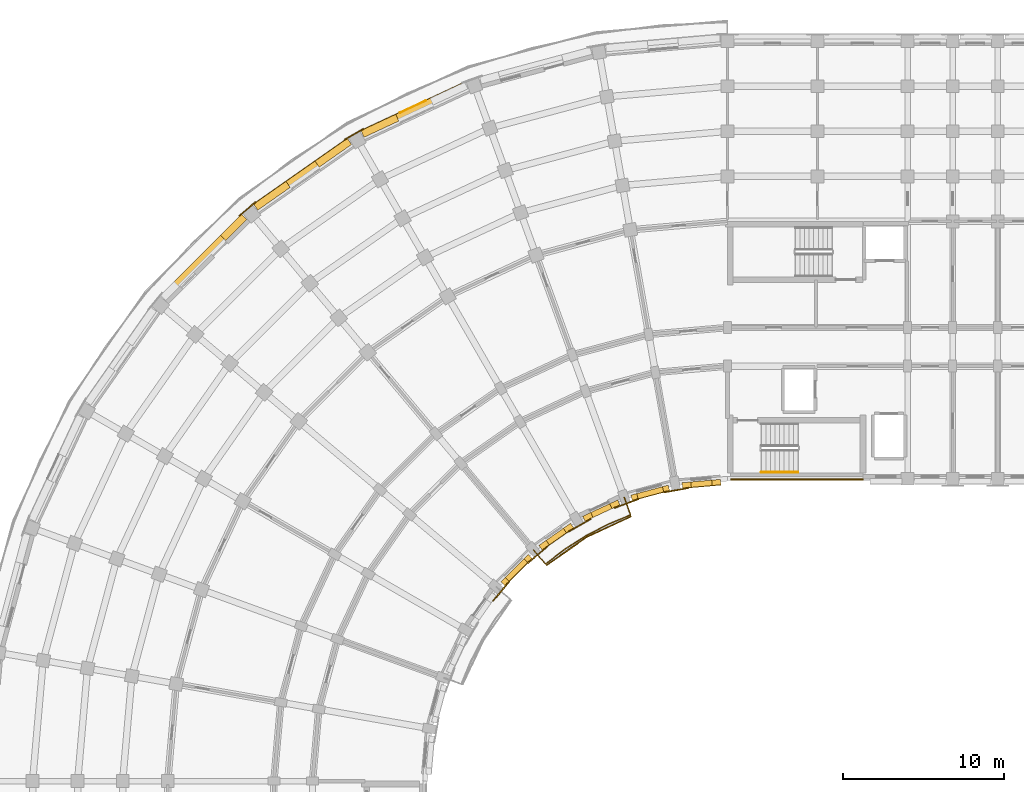
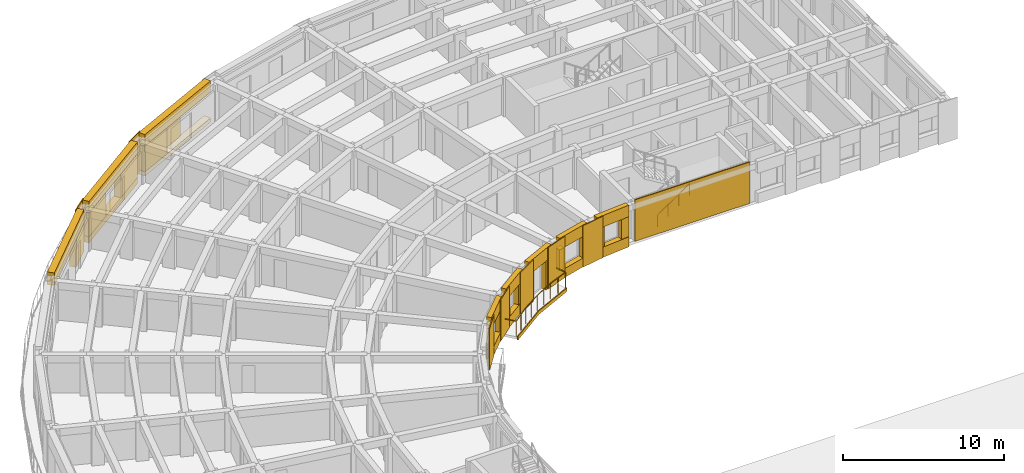
# One storey, part 67 of 76: 37 coverings, 2 railings, 1 shading device.
"""IFC4 building model written with IfcOpenShell, lengths in metres."""

from ifc_helpers import new_model, si_unit, direction, frame, origin, origin_2d, place, context, subcontext, project, spatial, polyline, rectangle, circle, outline, extrude, material, layer, layer_set, type_object, element, save


model = new_model("IFC4")

# Units and contexts
model_context = context("Model", 3, precision=1e-05, world=origin(), true_north=direction((0.0, 1.0)))
body_context = subcontext(model_context, "Body", "Model", "MODEL_VIEW")
ifc_project = project(units=[si_unit("LENGTHUNIT", "METRE"), si_unit("AREAUNIT", "SQUARE_METRE"), si_unit("VOLUMEUNIT", "CUBIC_METRE"), si_unit("PLANEANGLEUNIT", "RADIAN"), si_unit("MASSUNIT", "GRAM", prefix="KILO")], contexts=[model_context])

# Site, building, storey
site_placement = place(None, origin())
site = spatial("IfcSite", under=ifc_project, at=site_placement, CompositionType="ELEMENT")
building_placement = place(site_placement, origin())
building = spatial("IfcBuilding", under=site, at=building_placement, Name="Kiranvali Square Residences", CompositionType="ELEMENT")
storey_placement = place(building_placement, frame((0.0, 0.0, 8.699951171875)))
storey = spatial("IfcBuildingStorey", under=building, at=storey_placement, Name="L02", CompositionType="ELEMENT", Elevation=8.699951171875)

# Coverings
ifc_material_1 = material(Name="Carved Porbandar limestone classical entablature and cornice", Category="masonry")
ifc_layer_1 = layer(ifc_material_1, 0.06201171875)
ifc_layer_set_1 = layer_set([ifc_layer_1], Name="Carved Porbandar limestone classical entablature and cornice")
covering_type_1 = type_object("IfcCoveringType", Name="COV-CLAD-GBAL", PredefinedType="CLADDING", material=ifc_layer_set_1)
covering_1_placement = place(storey_placement, frame((0.0, 0.0, -0.219970703125)))
element("IfcCovering", 1, at=covering_1_placement, inside=storey, type_object=covering_type_1, Name="Block A L02 garden balcony limestone fascia 1", PredefinedType="CLADDING", context=body_context, shape_type="SweptSolid", body=[
    extrude(outline(polyline([(42.1982421875, 104.289794921875), (39.426025390625, 102.9970703125), (36.92041015625, 101.242431640625), (36.964111328125, 101.1904296875), (39.4599609375, 102.938232421875), (42.221435546875, 104.225830078125), (42.1982421875, 104.289794921875)])), origin(), (0.0, 0.0, 1.0), 0.27001953125),
])
ifc_material_2 = material(Name="Honed Porbandar limestone ashlar facade cladding", Category="masonry")
ifc_layer_2 = layer(ifc_material_2, 0.3798828125)
ifc_layer_set_2 = layer_set([ifc_layer_2], Name="Honed Porbandar limestone ashlar facade cladding")
covering_type_2 = type_object("IfcCoveringType", Name="COV-CLAD-JAMB", PredefinedType="CLADDING", material=ifc_layer_set_2)
covering_2_placement = place(storey_placement, frame((0.0, 0.0, 0.322021484375)))
element("IfcCovering", 2, at=covering_2_placement, inside=storey, type_object=covering_type_2, Name="L02 deep limestone window jamb reveal A-L02-CRV-02.R", PredefinedType="CLADDING", context=body_context, shape_type="SweptSolid", body=[
    extrude(outline(polyline([(27.57421875, 129.251953125), (25.413330078125, 128.244140625), (25.607666015625, 127.827880859375), (27.768310546875, 128.83544921875), (27.57421875, 129.251953125)])), origin(), (0.0, 0.0, 1.0), 1.949951171875),
])
covering_3_placement = place(storey_placement, frame((0.0, 0.0, 0.47216796875)))
element("IfcCovering", 3, at=covering_3_placement, inside=storey, type_object=covering_type_2, Name="L02 deep limestone window jamb reveal A-L02-CRV-03.L", PredefinedType="CLADDING", context=body_context, shape_type="SweptSolid", body=[
    extrude(outline(polyline([(24.567626953125, 127.755859375), (22.55322265625, 126.345458984375), (22.816650390625, 125.968994140625), (24.8310546875, 127.37939453125), (24.567626953125, 127.755859375)])), origin(), (0.0, 0.0, 1.0), 1.7998046875),
])
covering_4_placement = place(storey_placement, frame((0.0, 0.0, 0.47216796875)))
element("IfcCovering", 4, at=covering_4_placement, inside=storey, type_object=covering_type_2, Name="L02 deep limestone window jamb reveal A-L02-CRV-03.R", PredefinedType="CLADDING", context=body_context, shape_type="SweptSolid", body=[
    extrude(outline(polyline([(20.7509765625, 125.08349609375), (18.736572265625, 123.6728515625), (19.0, 123.296630859375), (21.0146484375, 124.70703125), (20.7509765625, 125.08349609375)])), origin(), (0.0, 0.0, 1.0), 1.7998046875),
])
covering_5_placement = place(storey_placement, origin())
element("IfcCovering", 5, at=covering_5_placement, inside=storey, type_object=covering_type_2, Name="L02 deep limestone window jamb reveal A-L02-CRV-04.L", PredefinedType="CLADDING", context=body_context, shape_type="SweptSolid", body=[
    extrude(outline(polyline([(17.98828125, 123.045166015625), (16.686279296875, 121.742919921875), (17.01123046875, 121.418212890625), (18.313232421875, 122.72021484375), (17.98828125, 123.045166015625)])), origin(), (0.0, 0.0, 1.0), 2.179931640625),
])
covering_6_placement = place(storey_placement, frame((0.0, 0.0, 0.77197265625)))
element("IfcCovering", 6, at=covering_6_placement, inside=storey, type_object=covering_type_2, Name="L02 deep limestone window jamb reveal A-L02-GDN-00.L", PredefinedType="CLADDING", context=body_context, shape_type="SweptSolid", body=[
    extrude(outline(polyline([(47.76171875, 106.56103515625), (47.21533203125, 106.513427734375), (47.244873046875, 106.175048828125), (47.791259765625, 106.222900390625), (47.76171875, 106.56103515625)])), origin(), (0.0, 0.0, 1.0), 1.5),
])
covering_7_placement = place(storey_placement, frame((0.0, 0.0, 0.77197265625)))
element("IfcCovering", 7, at=covering_7_placement, inside=storey, type_object=covering_type_2, Name="L02 deep limestone window jamb reveal A-L02-GDN-00.R", PredefinedType="CLADDING", context=body_context, shape_type="SweptSolid", body=[
    extrude(outline(polyline([(45.920166015625, 106.400146484375), (45.373779296875, 106.352294921875), (45.4033203125, 106.013916015625), (45.94970703125, 106.061767578125), (45.920166015625, 106.400146484375)])), origin(), (0.0, 0.0, 1.0), 1.5),
])
covering_8_placement = place(storey_placement, frame((0.0, 0.0, 0.672119140625)))
element("IfcCovering", 8, at=covering_8_placement, inside=storey, type_object=covering_type_2, Name="L02 deep limestone window jamb reveal A-L02-GDN-01.L", PredefinedType="CLADDING", context=body_context, shape_type="SweptSolid", body=[
    extrude(outline(polyline([(44.510498046875, 106.199951171875), (44.149658203125, 106.103271484375), (44.237548828125, 105.775390625), (44.598388671875, 105.8720703125), (44.510498046875, 106.199951171875)])), origin(), (0.0, 0.0, 1.0), 1.599853515625),
])
covering_9_placement = place(storey_placement, frame((0.0, 0.0, 0.672119140625)))
element("IfcCovering", 9, at=covering_9_placement, inside=storey, type_object=covering_type_2, Name="L02 deep limestone window jamb reveal A-L02-GDN-01.R", PredefinedType="CLADDING", context=body_context, shape_type="SweptSolid", body=[
    extrude(outline(polyline([(42.555908203125, 105.67626953125), (42.195068359375, 105.57958984375), (42.282958984375, 105.251708984375), (42.643798828125, 105.348388671875), (42.555908203125, 105.67626953125)])), origin(), (0.0, 0.0, 1.0), 1.599853515625),
])
covering_10_placement = place(storey_placement, origin())
element("IfcCovering", 10, at=covering_10_placement, inside=storey, type_object=covering_type_2, Name="L02 deep limestone window jamb reveal A-L02-GDN-02.L", PredefinedType="CLADDING", context=body_context, shape_type="SweptSolid", body=[
    extrude(outline(polyline([(41.37158203125, 105.27978515625), (40.874267578125, 105.048095703125), (41.017822265625, 104.740234375), (41.514892578125, 104.97216796875), (41.37158203125, 105.27978515625)])), origin(), (0.0, 0.0, 1.0), 2.179931640625),
])
covering_11_placement = place(storey_placement, origin())
element("IfcCovering", 11, at=covering_11_placement, inside=storey, type_object=covering_type_2, Name="L02 deep limestone window jamb reveal A-L02-GDN-02.R", PredefinedType="CLADDING", context=body_context, shape_type="SweptSolid", body=[
    extrude(outline(polyline([(39.696044921875, 104.49853515625), (39.198974609375, 104.266845703125), (39.342529296875, 103.958984375), (39.839599609375, 104.19091796875), (39.696044921875, 104.49853515625)])), origin(), (0.0, 0.0, 1.0), 2.179931640625),
])
covering_12_placement = place(storey_placement, frame((0.0, 0.0, 0.77197265625)))
element("IfcCovering", 12, at=covering_12_placement, inside=storey, type_object=covering_type_2, Name="L02 deep limestone window jamb reveal A-L02-GDN-03.L", PredefinedType="CLADDING", context=body_context, shape_type="SweptSolid", body=[
    extrude(outline(polyline([(38.43994140625, 103.828369140625), (37.990478515625, 103.513916015625), (38.185302734375, 103.23583984375), (38.634521484375, 103.55029296875), (38.43994140625, 103.828369140625)])), origin(), (0.0, 0.0, 1.0), 1.5),
])
covering_13_placement = place(storey_placement, frame((0.0, 0.0, 0.77197265625)))
element("IfcCovering", 13, at=covering_13_placement, inside=storey, type_object=covering_type_2, Name="L02 deep limestone window jamb reveal A-L02-GDN-03.R", PredefinedType="CLADDING", context=body_context, shape_type="SweptSolid", body=[
    extrude(outline(polyline([(36.925537109375, 102.768310546875), (36.476318359375, 102.45361328125), (36.671142578125, 102.175537109375), (37.120361328125, 102.490234375), (36.925537109375, 102.768310546875)])), origin(), (0.0, 0.0, 1.0), 1.5),
])
covering_14_placement = place(storey_placement, frame((0.0, 0.0, 0.672119140625)))
element("IfcCovering", 14, at=covering_14_placement, inside=storey, type_object=covering_type_2, Name="L02 deep limestone window jamb reveal A-L02-GDN-04.L", PredefinedType="CLADDING", context=body_context, shape_type="SweptSolid", body=[
    extrude(outline(polyline([(35.804931640625, 101.89013671875), (35.540771484375, 101.6259765625), (35.78076171875, 101.385986328125), (36.044921875, 101.650146484375), (35.804931640625, 101.89013671875)])), origin(), (0.0, 0.0, 1.0), 1.599853515625),
])
covering_15_placement = place(storey_placement, frame((0.0, 0.0, 0.672119140625)))
element("IfcCovering", 15, at=covering_15_placement, inside=storey, type_object=covering_type_2, Name="L02 deep limestone window jamb reveal A-L02-GDN-04.R", PredefinedType="CLADDING", context=body_context, shape_type="SweptSolid", body=[
    extrude(outline(polyline([(34.3740234375, 100.459228515625), (34.10986328125, 100.195068359375), (34.349853515625, 99.955078125), (34.614013671875, 100.21923828125), (34.3740234375, 100.459228515625)])), origin(), (0.0, 0.0, 1.0), 1.599853515625),
])
ifc_layer_3 = layer(ifc_material_2, 0.06494140625)
ifc_layer_set_3 = layer_set([ifc_layer_3], Name="Honed Porbandar limestone ashlar facade cladding")
covering_type_3 = type_object("IfcCoveringType", Name="COV-CLAD-PIER", PredefinedType="CLADDING", material=ifc_layer_set_3)
covering_16_placement = place(storey_placement, frame((0.0, 0.0, 0.005126953125)))
element("IfcCovering", 16, at=covering_16_placement, inside=storey, type_object=covering_type_3, Name="L02 Classical limestone corner pilaster CLAD-PR-A-L02-A03", PredefinedType="CLADDING", context=body_context, shape_type="SweptSolid", body=[
    extrude(outline(polyline([(25.554931640625, 128.382568359375), (24.377197265625, 127.702392578125), (24.410888671875, 127.64404296875), (25.588623046875, 128.323974609375), (25.554931640625, 128.382568359375)])), origin(), (0.0, 0.0, 1.0), 3.139892578125),
])
covering_17_placement = place(storey_placement, frame((0.0, 0.0, 0.005126953125)))
element("IfcCovering", 17, at=covering_17_placement, inside=storey, type_object=covering_type_3, Name="L02 Classical limestone corner pilaster CLAD-PR-A-L02-A04", PredefinedType="CLADDING", context=body_context, shape_type="SweptSolid", body=[
    extrude(outline(polyline([(18.851806640625, 123.833740234375), (17.81005859375, 122.95947265625), (17.853515625, 122.90771484375), (18.895263671875, 123.781982421875), (18.851806640625, 123.833740234375)])), origin(), (0.0, 0.0, 1.0), 3.139892578125),
])
covering_18_placement = place(storey_placement, frame((0.0, 0.0, 0.005126953125)))
element("IfcCovering", 18, at=covering_18_placement, inside=storey, type_object=covering_type_3, Name="Block A L02 garden stair limestone ashlar cladding", PredefinedType="CLADDING", context=body_context, shape_type="SweptSolid", body=[
    extrude(outline(polyline([(48.39990234375, 106.52001953125), (56.64990234375, 106.52001953125), (56.64990234375, 106.597900390625), (48.39990234375, 106.597900390625), (48.39990234375, 106.52001953125)])), origin(), (0.0, 0.0, 1.0), 3.139892578125),
])
ifc_layer_4 = layer(ifc_material_2, 0.050048828125)
ifc_layer_set_4 = layer_set([ifc_layer_4], Name="Honed Porbandar limestone ashlar facade cladding")
covering_type_4 = type_object("IfcCoveringType", Name="COV-CLAD-PIER-IN", PredefinedType="CLADDING", material=ifc_layer_set_4)
covering_19_placement = place(storey_placement, frame((0.0, 0.0, 0.005126953125)))
element("IfcCovering", 19, at=covering_19_placement, inside=storey, type_object=covering_type_4, Name="L02 Classical garden courtyard pilaster CLAD-PRIN-A-L02-A01", PredefinedType="CLADDING", context=body_context, shape_type="SweptSolid", body=[
    extrude(outline(polyline([(44.228759765625, 105.714599609375), (45.804443359375, 105.992431640625), (45.792724609375, 106.058837890625), (44.217041015625, 105.781005859375), (44.228759765625, 105.714599609375)])), origin(), (0.0, 0.0, 1.0), 3.139892578125),
])
covering_20_placement = place(storey_placement, frame((0.0, 0.0, 0.005126953125)))
element("IfcCovering", 20, at=covering_20_placement, inside=storey, type_object=covering_type_4, Name="L02 Classical garden courtyard pilaster CLAD-PRIN-A-L02-A02", PredefinedType="CLADDING", context=body_context, shape_type="SweptSolid", body=[
    extrude(outline(polyline([(41.17822265625, 104.7529296875), (42.681884765625, 105.300048828125), (42.65869140625, 105.363525390625), (41.1552734375, 104.816162109375), (41.17822265625, 104.7529296875)])), origin(), (0.0, 0.0, 1.0), 3.139892578125),
])
covering_21_placement = place(storey_placement, frame((0.0, 0.0, 0.005126953125)))
element("IfcCovering", 21, at=covering_21_placement, inside=storey, type_object=covering_type_4, Name="L02 Classical garden courtyard pilaster CLAD-PRIN-A-L02-A03", PredefinedType="CLADDING", context=body_context, shape_type="SweptSolid", body=[
    extrude(outline(polyline([(38.341064453125, 103.27587890625), (39.726806640625, 104.075927734375), (39.693115234375, 104.134521484375), (38.307373046875, 103.33447265625), (38.341064453125, 103.27587890625)])), origin(), (0.0, 0.0, 1.0), 3.139892578125),
])
covering_22_placement = place(storey_placement, frame((0.0, 0.0, 0.005126953125)))
element("IfcCovering", 22, at=covering_22_placement, inside=storey, type_object=covering_type_4, Name="L02 Classical garden courtyard pilaster CLAD-PRIN-A-L02-A04", PredefinedType="CLADDING", context=body_context, shape_type="SweptSolid", body=[
    extrude(outline(polyline([(35.803466796875, 101.328857421875), (37.029296875, 102.357421875), (36.98583984375, 102.4091796875), (35.76025390625, 101.380615234375), (35.803466796875, 101.328857421875)])), origin(), (0.0, 0.0, 1.0), 3.139892578125),
])
covering_23_placement = place(storey_placement, frame((0.0, 0.0, 0.005126953125)))
element("IfcCovering", 23, at=covering_23_placement, inside=storey, type_object=covering_type_4, Name="L02 Classical garden courtyard pilaster CLAD-PRIN-A-L02-A05", PredefinedType="CLADDING", context=body_context, shape_type="SweptSolid", body=[
    extrude(outline(polyline([(33.642578125, 98.970703125), (34.671142578125, 100.196533203125), (34.619384765625, 100.23974609375), (33.5908203125, 99.01416015625), (33.642578125, 98.970703125)])), origin(), (0.0, 0.0, 1.0), 3.139892578125),
])
ifc_layer_5 = layer(ifc_material_2, 0.360107421875)
ifc_layer_set_5 = layer_set([ifc_layer_5], Name="Honed Porbandar limestone ashlar facade cladding")
covering_type_5 = type_object("IfcCoveringType", Name="COV-CLAD-WALL", PredefinedType="CLADDING", material=ifc_layer_set_5)
covering_24_placement = place(storey_placement, frame((0.0, 0.0, 2.27197265625)))
element("IfcCovering", 24, at=covering_24_placement, inside=storey, type_object=covering_type_5, Name="L02 light limestone spandrel lintel A-L02-CRV-02", PredefinedType="CLADDING", context=body_context, shape_type="SweptSolid", body=[
    extrude(outline(polyline([(31.86474609375, 131.252685546875), (25.413330078125, 128.244140625), (25.607666015625, 127.827880859375), (32.05908203125, 130.836181640625), (31.86474609375, 131.252685546875)])), origin(), (0.0, 0.0, 1.0), 0.873046875),
])
covering_25_placement = place(storey_placement, frame((0.0, 0.0, 0.005126953125)))
element("IfcCovering", 25, at=covering_25_placement, inside=storey, type_object=covering_type_5, Name="L02 limestone window sill apron A-L02-CRV-02", PredefinedType="CLADDING", context=body_context, shape_type="SweptSolid", body=[
    extrude(outline(polyline([(31.85205078125, 131.27978515625), (25.40087890625, 128.271484375), (25.607666015625, 127.827880859375), (32.05908203125, 130.836181640625), (31.85205078125, 131.27978515625)])), origin(), (0.0, 0.0, 1.0), 0.31689453125),
])
covering_26_placement = place(storey_placement, frame((0.0, 0.0, 2.27197265625)))
element("IfcCovering", 26, at=covering_26_placement, inside=storey, type_object=covering_type_5, Name="L02 light limestone spandrel lintel A-L02-CRV-03", PredefinedType="CLADDING", context=body_context, shape_type="SweptSolid", body=[
    extrude(outline(polyline([(24.567626953125, 127.755859375), (18.736572265625, 123.6728515625), (19.0, 123.296630859375), (24.8310546875, 127.37939453125), (24.567626953125, 127.755859375)])), origin(), (0.0, 0.0, 1.0), 0.873046875),
])
covering_27_placement = place(storey_placement, frame((0.0, 0.0, 0.005126953125)))
element("IfcCovering", 27, at=covering_27_placement, inside=storey, type_object=covering_type_5, Name="L02 limestone window sill apron A-L02-CRV-03", PredefinedType="CLADDING", context=body_context, shape_type="SweptSolid", body=[
    extrude(outline(polyline([(24.55029296875, 127.780517578125), (18.71923828125, 123.697509765625), (19.0, 123.296630859375), (24.8310546875, 127.37939453125), (24.55029296875, 127.780517578125)])), origin(), (0.0, 0.0, 1.0), 0.467041015625),
])
covering_28_placement = place(storey_placement, frame((0.0, 0.0, 2.179931640625)))
element("IfcCovering", 28, at=covering_28_placement, inside=storey, type_object=covering_type_5, Name="L02 light limestone spandrel lintel A-L02-CRV-04", PredefinedType="CLADDING", context=body_context, shape_type="SweptSolid", body=[
    extrude(outline(polyline([(17.98828125, 123.045166015625), (12.954833984375, 118.01171875), (13.27978515625, 117.686767578125), (18.313232421875, 122.72021484375), (17.98828125, 123.045166015625)])), origin(), (0.0, 0.0, 1.0), 0.965087890625),
])
covering_29_placement = place(storey_placement, frame((0.0, 0.0, 2.27197265625)))
element("IfcCovering", 29, at=covering_29_placement, inside=storey, type_object=covering_type_5, Name="L02 light limestone spandrel lintel A-L02-GDN-00", PredefinedType="CLADDING", context=body_context, shape_type="SweptSolid", body=[
    extrude(outline(polyline([(47.76171875, 106.56103515625), (45.373779296875, 106.352294921875), (45.4033203125, 106.013916015625), (47.791259765625, 106.222900390625), (47.76171875, 106.56103515625)])), origin(), (0.0, 0.0, 1.0), 0.873046875),
])
covering_30_placement = place(storey_placement, frame((0.0, 0.0, 2.27197265625)))
element("IfcCovering", 30, at=covering_30_placement, inside=storey, type_object=covering_type_5, Name="L02 light limestone spandrel lintel A-L02-GDN-01", PredefinedType="CLADDING", context=body_context, shape_type="SweptSolid", body=[
    extrude(outline(polyline([(44.510498046875, 106.199951171875), (42.195068359375, 105.57958984375), (42.282958984375, 105.251708984375), (44.598388671875, 105.8720703125), (44.510498046875, 106.199951171875)])), origin(), (0.0, 0.0, 1.0), 0.873046875),
])
covering_31_placement = place(storey_placement, frame((0.0, 0.0, 2.179931640625)))
element("IfcCovering", 31, at=covering_31_placement, inside=storey, type_object=covering_type_5, Name="L02 light limestone spandrel lintel A-L02-GDN-02", PredefinedType="CLADDING", context=body_context, shape_type="SweptSolid", body=[
    extrude(outline(polyline([(41.37158203125, 105.27978515625), (39.198974609375, 104.266845703125), (39.342529296875, 103.958984375), (41.514892578125, 104.97216796875), (41.37158203125, 105.27978515625)])), origin(), (0.0, 0.0, 1.0), 0.965087890625),
])
covering_32_placement = place(storey_placement, frame((0.0, 0.0, 2.27197265625)))
element("IfcCovering", 32, at=covering_32_placement, inside=storey, type_object=covering_type_5, Name="L02 light limestone spandrel lintel A-L02-GDN-03", PredefinedType="CLADDING", context=body_context, shape_type="SweptSolid", body=[
    extrude(outline(polyline([(38.43994140625, 103.828369140625), (36.476318359375, 102.45361328125), (36.671142578125, 102.175537109375), (38.634521484375, 103.55029296875), (38.43994140625, 103.828369140625)])), origin(), (0.0, 0.0, 1.0), 0.873046875),
])
covering_33_placement = place(storey_placement, frame((0.0, 0.0, 2.27197265625)))
element("IfcCovering", 33, at=covering_33_placement, inside=storey, type_object=covering_type_5, Name="L02 light limestone spandrel lintel A-L02-GDN-04", PredefinedType="CLADDING", context=body_context, shape_type="SweptSolid", body=[
    extrude(outline(polyline([(35.804931640625, 101.89013671875), (34.10986328125, 100.195068359375), (34.349853515625, 99.955078125), (36.044921875, 101.650146484375), (35.804931640625, 101.89013671875)])), origin(), (0.0, 0.0, 1.0), 0.873046875),
])
ifc_layer_6 = layer(ifc_material_2, 0.2900390625)
ifc_layer_set_6 = layer_set([ifc_layer_6], Name="Honed Porbandar limestone ashlar facade cladding")
covering_type_6 = type_object("IfcCoveringType", Name="COV-CLAD-WALL-IN", PredefinedType="CLADDING", material=ifc_layer_set_6)
covering_34_placement = place(storey_placement, frame((0.0, 0.0, 0.005126953125)))
element("IfcCovering", 34, at=covering_34_placement, inside=storey, type_object=covering_type_6, Name="L02 limestone window sill apron A-L02-GDN-00", PredefinedType="CLADDING", context=body_context, shape_type="SweptSolid", body=[
    extrude(outline(polyline([(47.76171875, 106.56103515625), (45.373779296875, 106.352294921875), (45.406005859375, 105.984130859375), (47.7939453125, 106.193115234375), (47.76171875, 106.56103515625)])), origin(), (0.0, 0.0, 1.0), 0.766845703125),
])
covering_35_placement = place(storey_placement, frame((0.0, 0.0, 0.005126953125)))
element("IfcCovering", 35, at=covering_35_placement, inside=storey, type_object=covering_type_6, Name="L02 limestone window sill apron A-L02-GDN-01", PredefinedType="CLADDING", context=body_context, shape_type="SweptSolid", body=[
    extrude(outline(polyline([(44.510498046875, 106.199951171875), (42.195068359375, 105.57958984375), (42.290771484375, 105.22265625), (44.606201171875, 105.843017578125), (44.510498046875, 106.199951171875)])), origin(), (0.0, 0.0, 1.0), 0.6669921875),
])
covering_36_placement = place(storey_placement, frame((0.0, 0.0, 0.005126953125)))
element("IfcCovering", 36, at=covering_36_placement, inside=storey, type_object=covering_type_6, Name="L02 limestone window sill apron A-L02-GDN-03", PredefinedType="CLADDING", context=body_context, shape_type="SweptSolid", body=[
    extrude(outline(polyline([(38.43994140625, 103.828369140625), (36.476318359375, 102.45361328125), (36.688232421875, 102.15087890625), (38.65185546875, 103.52587890625), (38.43994140625, 103.828369140625)])), origin(), (0.0, 0.0, 1.0), 0.766845703125),
])
covering_37_placement = place(storey_placement, frame((0.0, 0.0, 0.005126953125)))
element("IfcCovering", 37, at=covering_37_placement, inside=storey, type_object=covering_type_6, Name="L02 limestone window sill apron A-L02-GDN-04", PredefinedType="CLADDING", context=body_context, shape_type="SweptSolid", body=[
    extrude(outline(polyline([(35.804931640625, 101.89013671875), (34.10986328125, 100.195068359375), (34.37109375, 99.933837890625), (36.066162109375, 101.62890625), (35.804931640625, 101.89013671875)])), origin(), (0.0, 0.0, 1.0), 0.6669921875),
])

# Railings
ifc_material_3 = material(Name="Powder-coated architectural bronze balustrade", Category="steel")
railing_type_1 = type_object("IfcRailingType", Name="RL-BAL-GOLD-1200", PredefinedType="BALUSTRADE", material=ifc_material_3)
railing_1_placement = place(storey_placement, frame((41.78369140625, 105.4287109375, 0.0)))
element("IfcRailing", 38, at=railing_1_placement, inside=storey, type_object=railing_type_1, Name="Block A L02 garden balcony gold balustrade 1", PredefinedType="BALUSTRADE", context=body_context, shape_type="SweptSolid", body=[
    extrude(circle(Radius=0.02392578125, at=origin_2d()), frame((0.0, 0.0, 1.17578125), z_axis=(0.341964618562, -0.939712828289, 0.0), x_axis=(0.939712828289, 0.341964618562, 0.0)), (0.0, 0.0, 1.0), 1.150146484375),
    extrude(circle(Radius=0.02392578125, at=origin_2d()), frame((0.393310546875, -1.080810546875, 1.17578125), z_axis=(-0.923892883829, -0.382651197843, 0.0), x_axis=(0.382651197843, -0.923892883829, 0.0)), (0.0, 0.0, 1.0), 1.536376953125),
    extrude(circle(Radius=0.02392578125, at=origin_2d()), frame((-1.026123046875, -1.668701171875, 1.17578125), z_axis=(-0.887029366154, -0.461713009976, 0.0), x_axis=(0.461713009976, -0.887029366154, 0.0)), (0.0, 0.0, 1.0), 1.5361328125),
    extrude(circle(Radius=0.02392578125, at=origin_2d()), frame((-2.388671875, -2.3779296875, 1.17578125), z_axis=(-0.843386539688, -0.537307309343, 0.0), x_axis=(0.537307309343, -0.843386539688, 0.0)), (0.0, 0.0, 1.0), 1.5361328125),
    extrude(circle(Radius=0.02392578125, at=origin_2d()), frame((-3.684326171875, -3.203369140625, 1.17578125), z_axis=(-0.793314680996, -0.608811807471, 0.0), x_axis=(0.608811807471, -0.793314680996, 0.0)), (0.0, 0.0, 1.0), 1.536376953125),
    extrude(circle(Radius=0.02392578125, at=origin_2d()), frame((-4.903076171875, -4.138671875, 1.17578125), z_axis=(-0.642853454051, 0.765989188314, 0.0), x_axis=(-0.765989188314, -0.642853454051, 0.0)), (0.0, 0.0, 1.0), 1.14990234375),
    extrude(circle(Radius=0.02099609375, at=origin_2d()), origin(), (0.0, 0.0, 1.0), 1.15185546875),
    extrude(circle(Radius=0.02099609375, at=origin_2d()), frame((0.393310546875, -1.080810546875, 0.0)), (0.0, 0.0, 1.0), 1.15185546875),
    extrude(circle(Radius=0.02099609375, at=origin_2d()), frame((-0.31640625, -1.374755859375, 0.0)), (0.0, 0.0, 1.0), 1.15185546875),
    extrude(circle(Radius=0.02099609375, at=origin_2d()), frame((-1.026123046875, -1.668701171875, 0.0)), (0.0, 0.0, 1.0), 1.15185546875),
    extrude(circle(Radius=0.02099609375, at=origin_2d()), frame((-1.70751953125, -2.0234375, 0.0)), (0.0, 0.0, 1.0), 1.15185546875),
    extrude(circle(Radius=0.02099609375, at=origin_2d()), frame((-2.388671875, -2.3779296875, 0.0)), (0.0, 0.0, 1.0), 1.15185546875),
    extrude(circle(Radius=0.02099609375, at=origin_2d()), frame((-3.03662109375, -2.79052734375, 0.0)), (0.0, 0.0, 1.0), 1.15185546875),
    extrude(circle(Radius=0.02099609375, at=origin_2d()), frame((-3.684326171875, -3.203369140625, 0.0)), (0.0, 0.0, 1.0), 1.15185546875),
    extrude(circle(Radius=0.02099609375, at=origin_2d()), frame((-4.293701171875, -3.6708984375, 0.0)), (0.0, 0.0, 1.0), 1.15185546875),
    extrude(circle(Radius=0.02099609375, at=origin_2d()), frame((-4.903076171875, -4.138671875, 0.0)), (0.0, 0.0, 1.0), 1.15185546875),
    extrude(circle(Radius=0.02099609375, at=origin_2d()), frame((-5.642333984375, -3.2578125, 0.0)), (0.0, 0.0, 1.0), 1.15185546875),
])
ifc_material_4 = material(Name="Brushed stainless steel tubular handrail", Category="steel")
railing_type_2 = type_object("IfcRailingType", Name="RL-HANDRAIL-900", PredefinedType="HANDRAIL", material=ifc_material_4)
railing_2_placement = place(storey_placement, frame((50.300048828125, 107.0, 0.175048828125)))
element("IfcRailing", 39, at=railing_2_placement, inside=storey, type_object=railing_type_2, Name="L02 ST-A2 stair handrail 1", PredefinedType="HANDRAIL", context=body_context, shape_type="SweptSolid", body=[
    extrude(circle(Radius=0.02392578125, at=origin_2d()), frame((0.0, 0.0, 0.8759765625), z_axis=(0.82278801735, 0.0, 0.568348377763), x_axis=(0.0, 1.0, 0.0)), (0.0, 0.0, 1.0), 2.77099609375),
    extrude(circle(Radius=0.02099609375, at=origin_2d()), origin(), (0.0, 0.0, 1.0), 0.851806640625),
    extrude(circle(Radius=0.02099609375, at=origin_2d()), frame((0.760009765625, 0.0, 0.52490234375)), (0.0, 0.0, 1.0), 0.851806640625),
    extrude(circle(Radius=0.02099609375, at=origin_2d()), frame((1.52001953125, 0.0, 1.050048828125)), (0.0, 0.0, 1.0), 0.851806640625),
    extrude(circle(Radius=0.02099609375, at=origin_2d()), frame((2.280029296875, 0.0, 1.574951171875)), (0.0, 0.0, 1.0), 0.851806640625),
])

# Shading device
ifc_material_5 = material(Name="Pierced buff sandstone architectural mashrabiya solar screen", Category="masonry")
shading_device_type = type_object("IfcShadingDeviceType", Name="SHD-JALI-2400", PredefinedType="JALOUSIE", material=ifc_material_5)
shading_device_placement = place(storey_placement, frame((28.6474609375, 129.730224609375, 0.322265625), z_axis=(0.0, 0.0, 1.0), x_axis=(-0.906307787037, -0.422618261741, 0.0)))
element("IfcShadingDevice", 40, at=shading_device_placement, inside=storey, type_object=shading_device_type, Name="L02 carved stone Mashrabiya screen A-L02-CRV-02", PredefinedType="JALOUSIE", context=body_context, shape_type="SweptSolid", body=[
    extrude(rectangle(XDim=1.800048828125, YDim=0.044921875, at=origin_2d()), origin(), (0.0, 0.0, 1.0), 1.949951171875),
])

save(model, "model.ifc")
